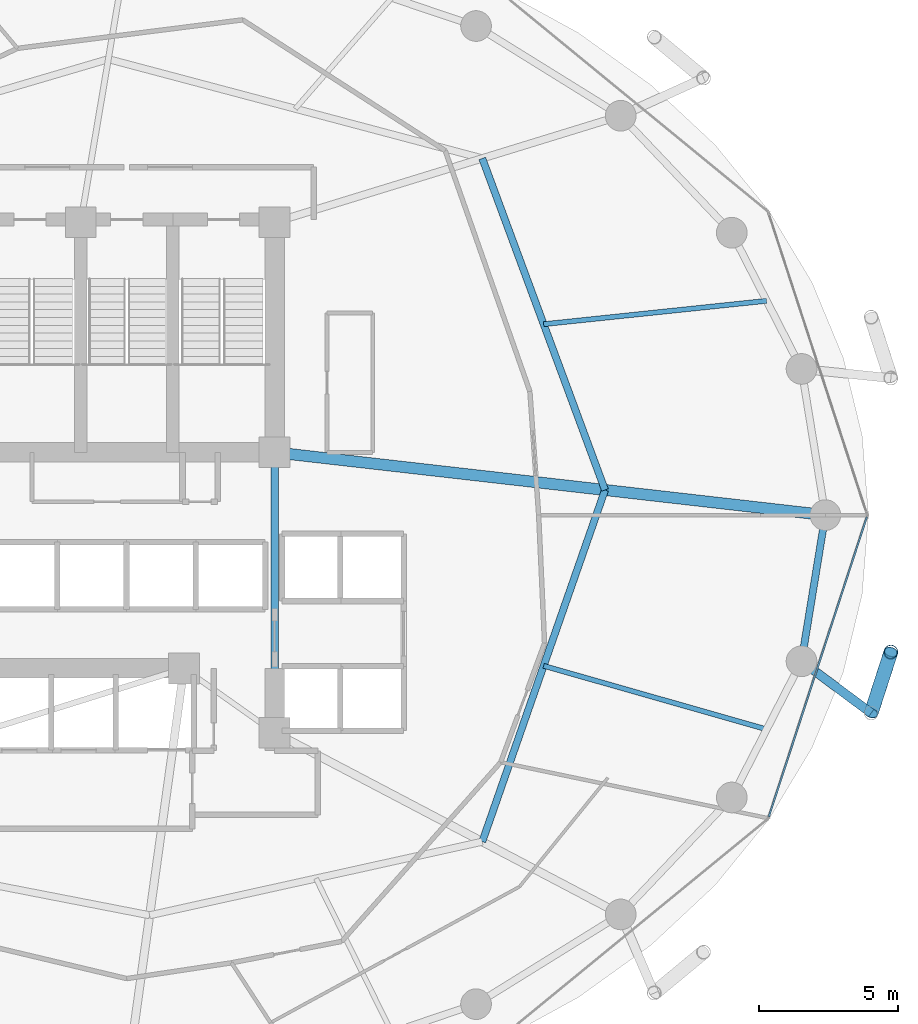
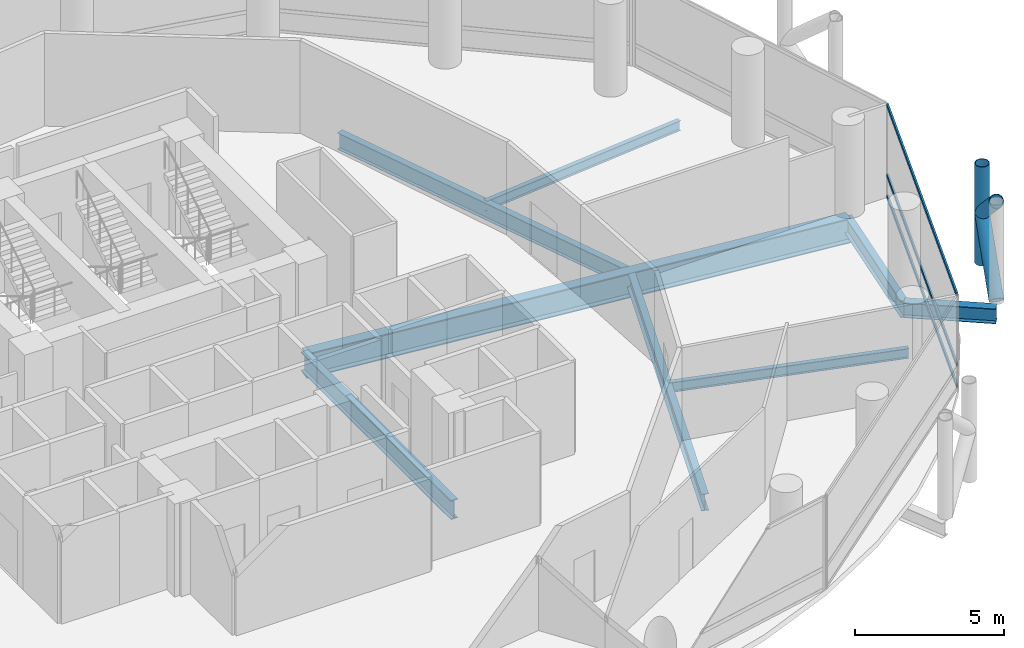
# One storey, part 11 of 24: 8 beams, 6 members, 1 element without a shape of its own.
"""IFC4 building model written with IfcOpenShell, lengths in metres."""

from ifc_helpers import new_model, si_unit, direction, frame, origin, origin_2d, place, context, subcontext, project, spatial, hollow_rectangle, hollow_circle, i_section, extrude, material, layer, layer_set, material_profile, profile_set, type_object, element, aggregate, save


model = new_model("IFC4")

# Units and contexts
model_context = context("Model", 3, precision=1e-05, world=origin(), true_north=direction((0.0, 1.0)))
body_context = subcontext(model_context, "Body", "Model", "MODEL_VIEW")
ifc_project = project(units=[si_unit("LENGTHUNIT", "METRE"), si_unit("AREAUNIT", "SQUARE_METRE"), si_unit("VOLUMEUNIT", "CUBIC_METRE"), si_unit("PLANEANGLEUNIT", "RADIAN"), si_unit("MASSUNIT", "GRAM", prefix="KILO")], contexts=[model_context])

# Site, building, storey
site_placement = place(None, origin())
site = spatial("IfcSite", under=ifc_project, at=site_placement, CompositionType="ELEMENT")
building_placement = place(site_placement, origin())
building = spatial("IfcBuilding", under=site, at=building_placement, Name="Nuhasar Tower", CompositionType="ELEMENT")
storey_placement = place(building_placement, frame((0.0, 0.0, 81.75)))
storey = spatial("IfcBuildingStorey", under=building, at=storey_placement, Name="L19", CompositionType="ELEMENT", Elevation=81.75)

# Beams
ifc_material_1 = material(Name="Steel S355", Category="steel")
ifc_material_profile_1 = material_profile(ifc_material_1, i_section(OverallWidth=0.25390625, OverallDepth=0.68408203125, WebThickness=0.012451171875, FlangeThickness=0.018798828125, at=origin_2d()), Name="W27X94")
ifc_profile_set_1 = profile_set([ifc_material_profile_1], Name="Steel S355")
beam_type_1 = type_object("IfcBeamType", Name="BM-INRING-W27X94", PredefinedType="BEAM", material=ifc_profile_set_1)
beam_1_placement = place(storey_placement, frame((51.748046875, 15.089111328125, -0.592041015625), z_axis=(0.329554049858, 0.944136710558, 0.0), x_axis=(-0.944136710558, 0.329554049858, 0.0)))
element("IfcBeam", 1, at=beam_1_placement, inside=storey, type_object=beam_type_1, Name="L19 Inner Header Beam 03", PredefinedType="BEAM", context=body_context, shape_type="SweptSolid", body=[
    extrude(i_section(OverallWidth=0.25390625, OverallDepth=0.68408203125, WebThickness=0.012451171875, FlangeThickness=0.018798828125, at=origin_2d()), origin(), (0.0, 0.0, 1.0), 13.35693359375),
])
beam_2_placement = place(storey_placement, frame((56.14990234375, 27.699951171875, -0.592041015625), z_axis=(-0.34715757476, 0.937806812881, 0.0), x_axis=(-0.937806812881, -0.34715757476, 0.0)))
element("IfcBeam", 2, at=beam_2_placement, inside=storey, type_object=beam_type_1, Name="L19 Inner Header Beam 04", PredefinedType="BEAM", context=body_context, shape_type="SweptSolid", body=[
    extrude(i_section(OverallWidth=0.25390625, OverallDepth=0.68408203125, WebThickness=0.012451171875, FlangeThickness=0.018798828125, at=origin_2d()), origin(), (0.0, 0.0, 1.0), 12.6796875),
])
ifc_material_profile_2 = material_profile(ifc_material_1, i_section(OverallWidth=0.177978515625, OverallDepth=0.406005859375, WebThickness=0.0078125, FlangeThickness=0.0126953125, at=origin_2d()), Name="W16X40")
ifc_profile_set_2 = profile_set([ifc_material_profile_2], Name="Steel S355")
beam_type_2 = type_object("IfcBeamType", Name="BM-JST-W16X40", PredefinedType="JOIST", material=ifc_profile_set_2)
beam_3_placement = place(storey_placement, frame((53.948974609375, 21.39501953125, -0.452880859375), z_axis=(0.961730884496, -0.273995813484, 0.0), x_axis=(0.273995813484, 0.961730884496, 0.0)))
element("IfcBeam", 3, at=beam_3_placement, inside=storey, type_object=beam_type_2, Name="L19 Secondary Floor Joist 03", PredefinedType="JOIST", context=body_context, shape_type="SweptSolid", body=[
    extrude(i_section(OverallWidth=0.177978515625, OverallDepth=0.406005859375, WebThickness=0.0078125, FlangeThickness=0.0126953125, at=origin_2d()), origin(), (0.0, 0.0, 1.0), 8.314208984375),
])
beam_4_placement = place(storey_placement, frame((53.948974609375, 33.64501953125, -0.452880859375), z_axis=(0.994554594377, 0.104216883485, 0.0), x_axis=(-0.104216883485, 0.994554594377, 0.0)))
element("IfcBeam", 4, at=beam_4_placement, inside=storey, type_object=beam_type_2, Name="L19 Secondary Floor Joist 04", PredefinedType="JOIST", context=body_context, shape_type="SweptSolid", body=[
    extrude(i_section(OverallWidth=0.177978515625, OverallDepth=0.406005859375, WebThickness=0.0078125, FlangeThickness=0.0126953125, at=origin_2d()), origin(), (0.0, 0.0, 1.0), 8.039794921875),
])
ifc_material_profile_3 = material_profile(ifc_material_1, i_section(OverallWidth=0.26611328125, OverallDepth=0.779052734375, WebThickness=0.0166015625, FlangeThickness=0.030029296875, at=origin_2d()), Name="W30X148")
ifc_profile_set_3 = profile_set([ifc_material_profile_3], Name="Steel S355")
beam_type_3 = type_object("IfcBeamType", Name="BM-RAD-W30X148", PredefinedType="BEAM", material=ifc_profile_set_3)
beam_5_placement = place(storey_placement, frame((44.300048828125, 19.0, -0.638916015625), z_axis=(0.0, 1.0, 0.0), x_axis=(-1.0, 0.0, 0.0)))
element("IfcBeam", 5, at=beam_5_placement, inside=storey, type_object=beam_type_3, Name="L19 Core Ring Girder 3", PredefinedType="BEAM", context=body_context, shape_type="SweptSolid", body=[
    extrude(i_section(OverallWidth=0.26611328125, OverallDepth=0.779052734375, WebThickness=0.0166015625, FlangeThickness=0.030029296875, at=origin_2d()), origin(), (0.0, 0.0, 1.0), 10.050048828125),
])
ifc_material_profile_4 = material_profile(ifc_material_1, i_section(OverallWidth=0.256103515625, OverallDepth=0.693115234375, WebThickness=0.014404296875, FlangeThickness=0.023681640625, at=origin_2d()), Name="W27X114")
ifc_profile_set_4 = profile_set([ifc_material_profile_4], Name="Steel S355")
beam_type_4 = type_object("IfcBeamType", Name="BM-RING-W27X114", PredefinedType="SPANDREL", material=ifc_profile_set_4)
beam_6_placement = place(storey_placement, frame((63.196044921875, 21.55908203125, -0.596923828125), z_axis=(0.160826635486, 0.986982671235, 0.0), x_axis=(-0.986982671235, 0.160826635486, 0.0)))
element("IfcBeam", 6, at=beam_6_placement, inside=storey, type_object=beam_type_4, Name="L19 Perimeter Ring Spandrel 24", PredefinedType="SPANDREL", context=body_context, shape_type="SweptSolid", body=[
    extrude(i_section(OverallWidth=0.256103515625, OverallDepth=0.693115234375, WebThickness=0.014404296875, FlangeThickness=0.023681640625, at=origin_2d()), origin(), (0.0, 0.0, 1.0), 5.31005859375),
])
ifc_material_profile_5 = material_profile(ifc_material_1, i_section(OverallWidth=0.323974609375, OverallDepth=0.611083984375, WebThickness=0.0126953125, FlangeThickness=0.01904296875, at=origin_2d()), Name="W24X104")
ifc_profile_set_5 = profile_set([ifc_material_profile_5], Name="Steel S355")
beam_type_5 = type_object("IfcBeamType", Name="BM-TIE-W24X104", PredefinedType="BEAM", material=ifc_profile_set_5)
beam_7_placement = place(storey_placement, frame((63.196044921875, 21.55908203125, -0.554931640625), z_axis=(0.802113478067, -0.597171640572, 0.0), x_axis=(0.597171640572, 0.802113478067, 0.0)))
element("IfcBeam", 7, at=beam_7_placement, inside=storey, type_object=beam_type_5, Name="L19 Exoskeleton Node Tie Beam 12", PredefinedType="BEAM", context=body_context, shape_type="SweptSolid", body=[
    extrude(i_section(OverallWidth=0.323974609375, OverallDepth=0.611083984375, WebThickness=0.0126953125, FlangeThickness=0.01904296875, at=origin_2d()), origin(), (0.0, 0.0, 1.0), 3.111572265625),
])
ifc_material_2 = material(Name="Steel S460", Category="steel")
ifc_material_profile_6 = material_profile(ifc_material_2, i_section(OverallWidth=0.40087890625, OverallDepth=1.010009765625, WebThickness=0.023681640625, FlangeThickness=0.0419921875, at=origin_2d()), Name="W40X297")
ifc_profile_set_6 = profile_set([ifc_material_profile_6], Name="Steel S460")
beam_type_6 = type_object("IfcBeamType", Name="BM-XFER-W40X297", PredefinedType="USERDEFINED", material=ifc_profile_set_6)
beam_8_placement = place(storey_placement, frame((44.300048828125, 29.050048828125, -0.7548828125), z_axis=(0.993573147212, -0.113191877531, 0.0), x_axis=(0.113191877531, 0.993573147212, 0.0)))
element("IfcBeam", 8, at=beam_8_placement, inside=storey, type_object=beam_type_6, Name="L19 Radial Floor Girder 04", ObjectType="GIRDER", PredefinedType="USERDEFINED", context=body_context, shape_type="SweptSolid", body=[
    extrude(i_section(OverallWidth=0.40087890625, OverallDepth=1.010009765625, WebThickness=0.023681640625, FlangeThickness=0.0419921875, at=origin_2d()), origin(), (0.0, 0.0, 1.0), 19.877685546875),
])

# Curtain wall, members
ifc_material_3 = material(Name="Aluminium 6063-T6", Category="aluminium")
ifc_layer = layer(ifc_material_3, 0.199951171875)
ifc_layer_set = layer_set([ifc_layer], Name="Aluminium 6063-T6")
curtain_wall_type = type_object("IfcCurtainWallType", Name="CW-Z1-OFF", PredefinedType="NOTDEFINED", material=ifc_layer_set)
curtain_wall_placement = place(storey_placement, origin())
curtain_wall = element("IfcCurtainWall", 9, at=curtain_wall_placement, inside=storey, type_object=curtain_wall_type, Name="L19 Unitised Curtain Wall 12", PredefinedType="NOTDEFINED")
ifc_material_profile_7 = material_profile(ifc_material_3, hollow_rectangle(XDim=0.06494140625, YDim=0.14990234375, WallThickness=0.00439453125, at=origin_2d()), Name="CWT-2")
ifc_profile_set_7 = profile_set([ifc_material_profile_7], Name="Aluminium 6063-T6")
member_type_1 = type_object("IfcMemberType", Name="CW-TRN-S2", PredefinedType="USERDEFINED", material=ifc_profile_set_7)
member_1_placement = place(storey_placement, frame((62.022216796875, 15.981689453125, 0.032470703125), z_axis=(0.310818687697, 0.950469222741, 0.0), x_axis=(-0.950469222741, 0.310818687697, 0.0)))
member_1 = element("IfcMember", 10, at=member_1_placement, type_object=member_type_1, Name="CW-Z1 transom 1.1", ObjectType="TRANSOM", PredefinedType="USERDEFINED", context=body_context, shape_type="SweptSolid", body=[
    extrude(hollow_rectangle(XDim=0.06494140625, YDim=0.14990234375, WallThickness=0.00439453125, at=origin_2d()), origin(), (0.0, 0.0, 1.0), 11.317138671875),
])
member_2_placement = place(storey_placement, frame((62.022216796875, 15.981689453125, 0.89990234375), z_axis=(0.310818687697, 0.950469222741, 0.0), x_axis=(-0.950469222741, 0.310818687697, 0.0)))
member_2 = element("IfcMember", 11, at=member_2_placement, type_object=member_type_1, Name="CW-Z1 transom 1.2", ObjectType="TRANSOM", PredefinedType="USERDEFINED", context=body_context, shape_type="SweptSolid", body=[
    extrude(hollow_rectangle(XDim=0.06494140625, YDim=0.14990234375, WallThickness=0.00439453125, at=origin_2d()), origin(), (0.0, 0.0, 1.0), 11.317138671875),
])
member_3_placement = place(storey_placement, frame((62.022216796875, 15.981689453125, 3.767578125), z_axis=(0.310818687697, 0.950469222741, 0.0), x_axis=(-0.950469222741, 0.310818687697, 0.0)))
member_3 = element("IfcMember", 12, at=member_3_placement, type_object=member_type_1, Name="CW-Z1 transom 1.3", ObjectType="TRANSOM", PredefinedType="USERDEFINED", context=body_context, shape_type="SweptSolid", body=[
    extrude(hollow_rectangle(XDim=0.06494140625, YDim=0.14990234375, WallThickness=0.00439453125, at=origin_2d()), origin(), (0.0, 0.0, 1.0), 11.317138671875),
])
aggregate(curtain_wall, [member_1, member_2, member_3])

# Members
ifc_material_profile_8 = material_profile(ifc_material_2, hollow_circle(Radius=0.25390625, WallThickness=0.025390625, at=origin_2d()), Name="HSS508X25.4")
ifc_profile_set_8 = profile_set([ifc_material_profile_8], Name="Steel S460")
member_type_2 = type_object("IfcMemberType", Name="EXO-BRONZE-508", PredefinedType="BRACE", material=ifc_profile_set_8)
member_4_placement = place(storey_placement, frame((66.39990234375, 21.889892578125, 0.0), z_axis=(0.0, 0.0, 1.0), x_axis=(1.0, 0.0, 0.0)))
element("IfcMember", 13, at=member_4_placement, inside=storey, type_object=member_type_2, Name="L19 Exoskeleton Chord Column EC-12B", PredefinedType="BRACE", context=body_context, shape_type="SweptSolid", body=[
    extrude(hollow_circle(Radius=0.25390625, WallThickness=0.025390625, at=origin_2d()), origin(), (0.0, 0.0, 1.0), 4.050048828125),
])
member_5_placement = place(storey_placement, frame((65.69189453125, 19.700927734375, 0.0), z_axis=(0.231011836313, 0.714224870475, 0.660693851854), x_axis=(-0.951468282519, 0.307746823478, 0.0)))
element("IfcMember", 14, at=member_5_placement, inside=storey, type_object=member_type_2, Name="L19 Bronze Diagrid Brace W1-12", PredefinedType="BRACE", context=body_context, shape_type="SweptSolid", body=[
    extrude(hollow_circle(Radius=0.25390625, WallThickness=0.025390625, at=origin_2d()), origin(), (0.0, 0.0, 1.0), 3.064697265625),
])
member_6_placement = place(storey_placement, frame((66.39990234375, 21.889892578125, 2.02490234375), z_axis=(-0.230999678299, -0.714187281251, 0.660738734997), x_axis=(0.951468282519, -0.307746823478, 0.0)))
element("IfcMember", 15, at=member_6_placement, inside=storey, type_object=member_type_2, Name="L19 Bronze Diagrid Brace W2-12", PredefinedType="BRACE", context=body_context, shape_type="SweptSolid", body=[
    extrude(hollow_circle(Radius=0.25390625, WallThickness=0.025390625, at=origin_2d()), origin(), (0.0, 0.0, 1.0), 3.06494140625),
])

save(model, "model.ifc")
